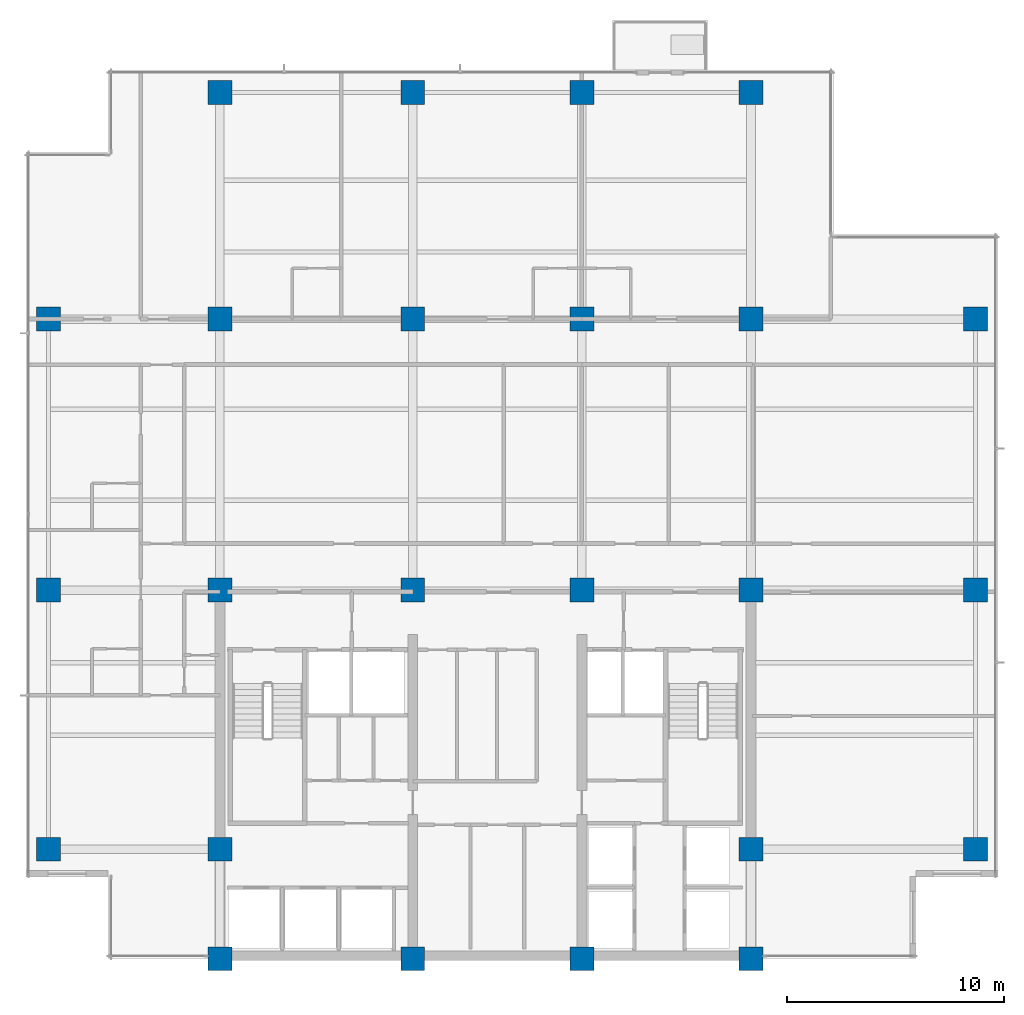
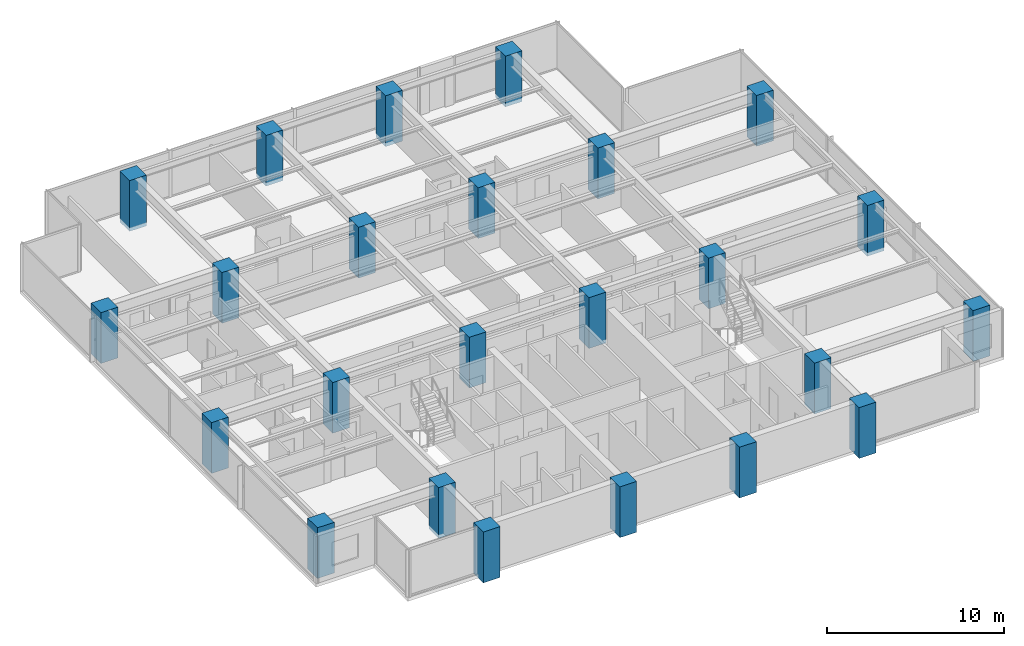
# One storey, part 1 of 15: 24 columns.
"""IFC4 building model written with IfcOpenShell, lengths in metres."""

import ifcopenshell
import ifcopenshell.guid

model = None  # the IFC model being written
_history = None  # IfcOwnerHistory: only IFC2X3 demands one
_inside = {}  # id of a spatial element -> (the spatial element, [elements in it])
_under = {}  # id of a project, library or spatial element -> (it, [spatial elements below it])
_declared = {}  # id of a project -> (the project, [libraries it declares])
_typed = {}  # id of a type object -> (the type object, [elements of that type])
_made_of = {}  # id of a material, layer set ... -> (it, [elements and type objects made of it])


def new_model(schema):
    """Start an empty IFC model of exactly this schema.

    Asked for "IFC4X3", IfcOpenShell would pick the latest addendum, in which some entities
    have other attributes; the version numbers below select the first issue.
    IFC2X3 requires an IfcOwnerHistory on every rooted entity: one is made here for all.
    """
    global model, _history
    if schema == "IFC4X3":
        model = ifcopenshell.file(schema_version=(4, 3, 0, 0))
    else:
        model = ifcopenshell.file(schema=schema)
    _inside.clear()
    _under.clear()
    _declared.clear()
    _typed.clear()
    _made_of.clear()
    _history = None
    if model.schema == "IFC2X3":
        org = make("IfcOrganization", Name="unknown")
        user = make(
            "IfcPersonAndOrganization",
            ThePerson=make("IfcPerson", FamilyName="unknown"),
            TheOrganization=org,
        )
        app = make(
            "IfcApplication",
            ApplicationDeveloper=org,
            Version="unknown",
            ApplicationFullName="unknown",
            ApplicationIdentifier="unknown",
        )
        _history = make(
            "IfcOwnerHistory",
            OwningUser=user,
            OwningApplication=app,
            ChangeAction="ADDED",
            CreationDate=0,
        )
    return model


def make(cls, **values):
    """One entity of the class cls with the attributes given. An attribute that is None is left unset."""
    return model.create_entity(
        cls, **{name: value for name, value in values.items() if value is not None}
    )


def rooted(cls, **values):
    """An entity with a GlobalId (a new one), such as an element, a storey or a relation."""
    return make(cls, GlobalId=ifcopenshell.guid.new(), OwnerHistory=_history, **values)


def si_unit(unit_type, name, prefix=None):
    """IfcSIUnit, for example si_unit("LENGTHUNIT", "METRE", prefix="MILLI")."""
    return make("IfcSIUnit", UnitType=unit_type, Prefix=prefix, Name=name)


def assignment(units):
    """IfcUnitAssignment: the units of a project."""
    return None if units is None else make("IfcUnitAssignment", Units=units)


def point(xyz):
    """IfcCartesianPoint."""
    return None if xyz is None else make("IfcCartesianPoint", Coordinates=xyz)


def direction(xyz):
    """IfcDirection."""
    return None if xyz is None else make("IfcDirection", DirectionRatios=xyz)


def frame(location, z_axis=None, x_axis=None):
    """IfcAxis2Placement3D, a coordinate frame: its origin and axes. An axis left out is left unset."""
    return make(
        "IfcAxis2Placement3D",
        Location=point(location),
        Axis=direction(z_axis),
        RefDirection=direction(x_axis),
    )


def frame_2d(location, x_axis=None):
    """IfcAxis2Placement2D, a coordinate frame in the plane: its origin and x axis."""
    return make(
        "IfcAxis2Placement2D", Location=point(location), RefDirection=direction(x_axis)
    )


def origin():
    """The frame at (0, 0, 0) with its axes left unset."""
    return frame((0.0, 0.0, 0.0))


def origin_2d():
    """The frame at (0, 0) in the plane with its x axis left unset."""
    return frame_2d((0.0, 0.0))


def place(relative_to, where):
    """IfcLocalPlacement: puts the frame where relative to a parent placement (None: the world)."""
    return make(
        "IfcLocalPlacement", PlacementRelTo=relative_to, RelativePlacement=where
    )


def context(
    kind, dimensions, precision=None, world=None, true_north=None, identifier=None
):
    """IfcGeometricRepresentationContext, for example the 3D "Model" context."""
    return make(
        "IfcGeometricRepresentationContext",
        ContextIdentifier=identifier,
        ContextType=kind,
        CoordinateSpaceDimension=dimensions,
        Precision=precision,
        WorldCoordinateSystem=world,
        TrueNorth=true_north,
    )


def subcontext(parent, identifier, kind, view, scale=None):
    """IfcGeometricRepresentationSubContext, for example "Body" below "Model"."""
    return make(
        "IfcGeometricRepresentationSubContext",
        ContextIdentifier=identifier,
        ContextType=kind,
        ParentContext=parent,
        TargetScale=scale,
        TargetView=view,
    )


def project(units=None, contexts=None):
    """IfcProject with its units and contexts."""
    return rooted(
        "IfcProject",
        Name="project",
        RepresentationContexts=contexts,
        UnitsInContext=assignment(units),
    )


def spatial(cls, under=None, at=None, **own):
    """A site, building, storey or space (cls), placed at a placement, below another one or the project."""
    s = rooted(cls, ObjectPlacement=at, **own)
    if under is not None:
        _under.setdefault(under.id(), (under, []))[1].append(s)
    return s


def profile(cls, at=None, kind="AREA", **sizes):
    """A parametric profile (cls). Its sizes go by their IFC names, for example OverallWidth=200.0."""
    return make(cls, ProfileType=kind, Position=at, **sizes)


def rectangle(**sizes):
    """IfcRectangleProfileDef."""
    return profile("IfcRectangleProfileDef", **sizes)


def extrude(swept, where, along, depth):
    """IfcExtrudedAreaSolid: the profile swept, set in the frame where, extruded along a direction by depth."""
    return make(
        "IfcExtrudedAreaSolid",
        SweptArea=swept,
        Position=where,
        ExtrudedDirection=direction(along),
        Depth=depth,
    )


def shape(context_of_items, identifier, shape_type, items):
    """IfcShapeRepresentation: the items that make up one representation, for example the "Body"."""
    return make(
        "IfcShapeRepresentation",
        ContextOfItems=context_of_items,
        RepresentationIdentifier=identifier,
        RepresentationType=shape_type,
        Items=items,
    )


def material(Name=None, Category=None):
    """IfcMaterial."""
    return make("IfcMaterial", Name=Name, Category=Category)


def material_profile(
    of_material, cross_section, Name=None, Category=None, Priority=None
):
    """IfcMaterialProfile: a cross section and its material."""
    return make(
        "IfcMaterialProfile",
        Name=Name,
        Material=of_material,
        Profile=cross_section,
        Priority=Priority,
        Category=Category,
    )


def profile_set(profiles, Name=None, composite=None):
    """IfcMaterialProfileSet."""
    return make(
        "IfcMaterialProfileSet",
        Name=Name,
        MaterialProfiles=profiles,
        CompositeProfile=composite,
    )


def made_of(thing, what):
    """Note that an element or type object is made of a material, layer set ...; save() writes the relation."""
    if what is not None:
        _made_of.setdefault(what.id(), (what, []))[1].append(thing)
    return thing


def type_object(cls, material=None, **own):
    """A type object (cls), such as IfcWallType, which elements share."""
    return made_of(rooted(cls, **own), material)


def element(
    cls,
    number,
    at=None,
    inside=None,
    cuts=None,
    type_object=None,
    material=None,
    context=None,
    identifier="Body",
    shape_type=None,
    held_by="IfcProductDefinitionShape",
    body=None,
    shapes=None,
    **own,
):
    """One element of the class cls, such as IfcWall. Its Tag is "e" and its number.

    at: its placement. inside: the storey or other place that contains it. cuts: it is an
    opening in that element (IfcRelVoidsElement). A single representation is given by context,
    identifier, shape_type and body (its items); several are given by shapes. held_by: the class
    of the entity that holds the representations. save() writes the other relations.
    """
    e = rooted(cls, Tag="e%d" % number, ObjectPlacement=at, **own)
    if body is not None:
        shapes = [shape(context, identifier, shape_type, body)]
    if shapes is not None:
        e.Representation = make(held_by, Representations=shapes)
    if inside is not None:
        _inside.setdefault(inside.id(), (inside, []))[1].append(e)
    if cuts is not None:
        rooted(
            "IfcRelVoidsElement", RelatingBuildingElement=cuts, RelatedOpeningElement=e
        )
    if type_object is not None:
        _typed.setdefault(type_object.id(), (type_object, []))[1].append(e)
    return made_of(e, material)


def aggregate(whole, parts):
    """IfcRelAggregates: a whole, such as a stair, and the parts it consists of."""
    return rooted("IfcRelAggregates", RelatingObject=whole, RelatedObjects=parts)


def save(model, path):
    """Write the relations noted so far, then the file.

    IfcRelAggregates (storeys below a building ...), IfcRelContainedInSpatialStructure (elements
    in a storey), IfcRelDefinesByType, IfcRelAssociatesMaterial and IfcRelDeclares: one each for
    every whole, place, type object, material and project.
    """
    for whole, parts in _under.values():
        aggregate(whole, parts)
    for where, things in _inside.values():
        rooted(
            "IfcRelContainedInSpatialStructure",
            RelatedElements=things,
            RelatingStructure=where,
        )
    for kind, things in _typed.values():
        rooted("IfcRelDefinesByType", RelatedObjects=things, RelatingType=kind)
    for what, things in _made_of.values():
        rooted("IfcRelAssociatesMaterial", RelatedObjects=things, RelatingMaterial=what)
    for by, libraries in _declared.values():
        rooted("IfcRelDeclares", RelatingContext=by, RelatedDefinitions=libraries)
    model.write(path)


model = new_model("IFC4")

# Units and contexts
model_context = context("Model", 3, precision=1e-05, world=origin(), true_north=direction((0.0, 1.0)))
body_context = subcontext(model_context, "Body", "Model", "MODEL_VIEW")
ifc_project = project(units=[si_unit("LENGTHUNIT", "METRE"), si_unit("AREAUNIT", "SQUARE_METRE"), si_unit("VOLUMEUNIT", "CUBIC_METRE"), si_unit("PLANEANGLEUNIT", "RADIAN"), si_unit("MASSUNIT", "GRAM", prefix="KILO")], contexts=[model_context])

# Site, building, storey
site_placement = place(None, origin())
site = spatial("IfcSite", under=ifc_project, at=site_placement, CompositionType="ELEMENT")
building_placement = place(site_placement, origin())
building = spatial("IfcBuilding", under=site, at=building_placement, Name="Qalmaran Belvedere Hotel", CompositionType="ELEMENT")
storey_placement = place(building_placement, frame((0.0, 0.0, 163.10009765625)))
storey = spatial("IfcBuildingStorey", under=building, at=storey_placement, Name="L41", CompositionType="ELEMENT", Elevation=163.10009765625)

# Columns
ifc_material = material(Name="Concrete C50/60", Category="concrete")
ifc_material_profile = material_profile(ifc_material, rectangle(XDim=1.10009765625, YDim=1.10009765625, at=origin_2d()), Name="CC1100X1100")
ifc_profile_set = profile_set([ifc_material_profile], Name="Concrete C50/60")
column_type = type_object("IfcColumnType", Name="COL-Z3-CC1100", PredefinedType="COLUMN", material=ifc_profile_set)
for number, where, z_axis, x_axis, name in (
    (1, (20.300048828125, 3.5, -0.25), (0.0, 0.0, 1.0), (1.0, 0.0, 0.0), "L41 Column C4B"),
    (2, (29.199951171875, 3.5, -0.25), (0.0, 0.0, 1.0), (1.0, 0.0, 0.0), "L41 Column C5B"),
    (3, (37.0, 3.5, -0.25), (0.0, 0.0, 1.0), (1.0, 0.0, 0.0), "L41 Column C6B"),
    (4, (44.800048828125, 3.5, -0.25), (0.0, 0.0, 1.0), (1.0, 0.0, 0.0), "L41 Column C7B"),
    (5, (20.300048828125, 8.550048828125, -0.25), (0.0, 0.0, 1.0), (1.0, 0.0, 0.0), "L41 Column C4C"),
    (6, (44.800048828125, 8.550048828125, -0.25), (0.0, 0.0, 1.0), (1.0, 0.0, 0.0), "L41 Column C7C"),
    (7, (20.300048828125, 20.5, -0.25), (0.0, 0.0, 1.0), (1.0, 0.0, 0.0), "L41 Column C4D"),
    (8, (29.199951171875, 20.5, -0.25), (0.0, 0.0, 1.0), (1.0, 0.0, 0.0), "L41 Column C5D"),
    (9, (37.0, 20.5, -0.25), (0.0, 0.0, 1.0), (1.0, 0.0, 0.0), "L41 Column C6D"),
    (10, (44.800048828125, 20.5, -0.25), (0.0, 0.0, 1.0), (1.0, 0.0, 0.0), "L41 Column C7D"),
    (11, (20.300048828125, 33.0, -0.25), (0.0, 0.0, 1.0), (1.0, 0.0, 0.0), "L41 Column C4F"),
    (12, (29.199951171875, 33.0, -0.25), (0.0, 0.0, 1.0), (1.0, 0.0, 0.0), "L41 Column C5F"),
    (13, (37.0, 33.0, -0.25), (0.0, 0.0, 1.0), (1.0, 0.0, 0.0), "L41 Column C6F"),
    (14, (44.800048828125, 33.0, -0.25), (0.0, 0.0, 1.0), (1.0, 0.0, 0.0), "L41 Column C7F"),
    (15, (12.39990234375, 8.550048828125, -0.25), (0.0, 0.0, 1.0), (1.0, 0.0, 0.0), "L41 Column CW1"),
    (16, (12.39990234375, 20.5, -0.25), (0.0, 0.0, 1.0), (1.0, 0.0, 0.0), "L41 Column CW3"),
    (17, (12.39990234375, 33.0, -0.25), (0.0, 0.0, 1.0), (1.0, 0.0, 0.0), "L41 Column CW4"),
    (18, (55.14990234375, 8.550048828125, -0.25), (0.0, 0.0, 1.0), (1.0, 0.0, 0.0), "L41 Column CE1"),
    (19, (55.14990234375, 20.5, -0.25), (0.0, 0.0, 1.0), (1.0, 0.0, 0.0), "L41 Column CE3"),
    (20, (55.14990234375, 33.0, -0.25), (0.0, 0.0, 1.0), (1.0, 0.0, 0.0), "L41 Column CE4"),
    (21, (20.300048828125, 43.449951171875, -0.25), (0.0, 0.0, 1.0), (1.0, 0.0, 0.0), "L41 Column CN1"),
    (22, (29.199951171875, 43.449951171875, -0.25), (0.0, 0.0, 1.0), (1.0, 0.0, 0.0), "L41 Column CN2"),
    (23, (37.0, 43.449951171875, -0.25), (0.0, 0.0, 1.0), (1.0, 0.0, 0.0), "L41 Column CN3"),
    (24, (44.800048828125, 43.449951171875, -0.25), (0.0, 0.0, 1.0), (1.0, 0.0, 0.0), "L41 Column CN4"),
):
    element("IfcColumn", number, at=place(storey_placement, frame(where, z_axis=z_axis, x_axis=x_axis)), inside=storey, type_object=column_type, Name=name, PredefinedType="COLUMN", context=body_context, shape_type="SweptSolid", body=[
        extrude(rectangle(XDim=1.10009765625, YDim=1.10009765625, at=origin_2d()), origin(), (0.0, 0.0, 1.0), 3.5),
    ])

save(model, "model.ifc")
